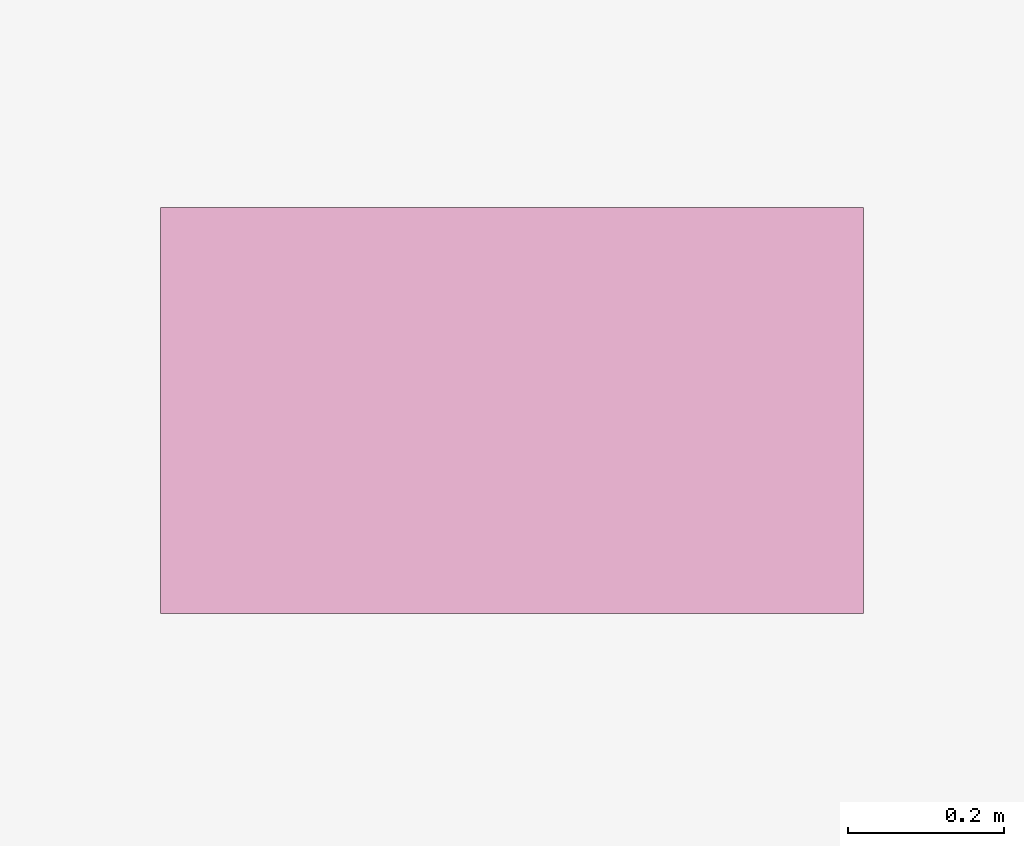
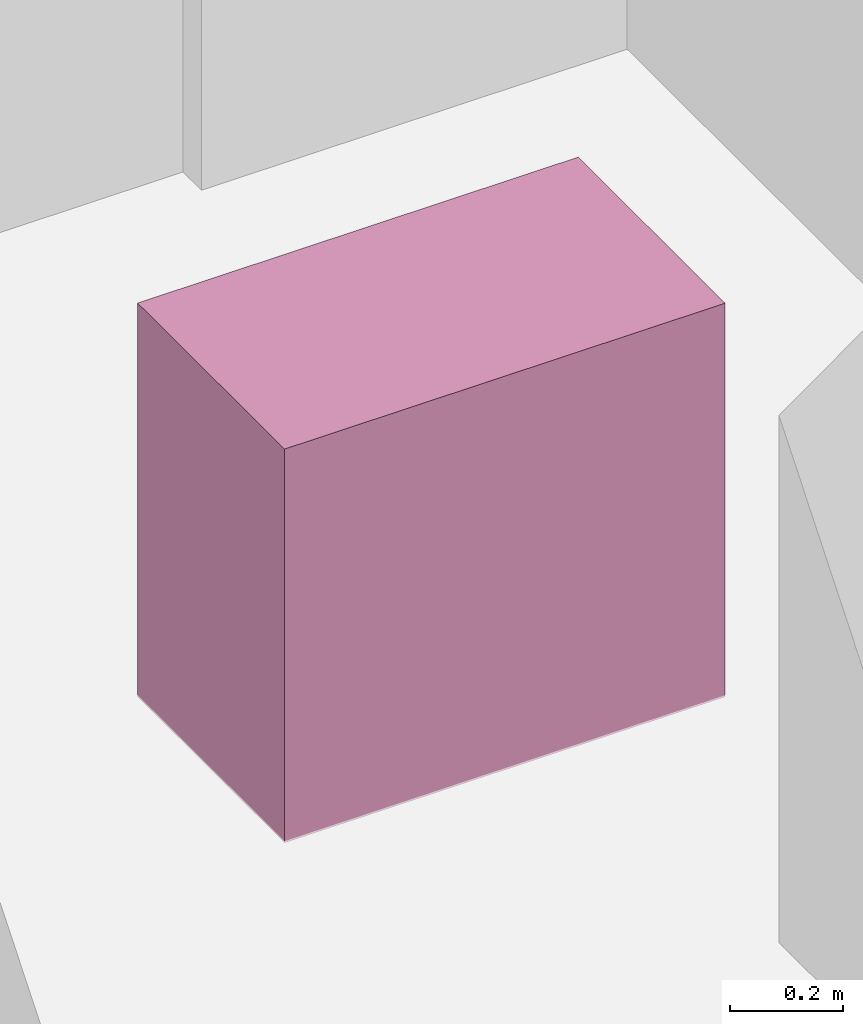
# One storey, part 33 of 33: 1 furnishing.
"""IFC4 building model written with IfcOpenShell, lengths in metres."""

from ifc_helpers import new_model, si_unit, direction, frame, origin, origin_2d, place, context, subcontext, project, spatial, rectangle, extrude, material, type_object, element, save


model = new_model("IFC4")

# Units and contexts
model_context = context("Model", 3, precision=1e-05, world=origin(), true_north=direction((0.0, 1.0)))
body_context = subcontext(model_context, "Body", "Model", "MODEL_VIEW")
ifc_project = project(units=[si_unit("LENGTHUNIT", "METRE"), si_unit("AREAUNIT", "SQUARE_METRE"), si_unit("VOLUMEUNIT", "CUBIC_METRE"), si_unit("PLANEANGLEUNIT", "RADIAN"), si_unit("MASSUNIT", "GRAM", prefix="KILO")], contexts=[model_context])

# Site, building, storey
site_placement = place(None, origin())
site = spatial("IfcSite", under=ifc_project, at=site_placement, CompositionType="ELEMENT")
building_placement = place(site_placement, origin())
building = spatial("IfcBuilding", under=site, at=building_placement, Name="Vorneva Point Tower", CompositionType="ELEMENT")
storey_placement = place(building_placement, frame((0.0, 0.0, 59.0)))
storey = spatial("IfcBuildingStorey", under=building, at=storey_placement, Name="L15", CompositionType="ELEMENT", Elevation=59.0)

# Furnishing
ifc_material = material(Name="Vitreous china and granite top", Category="masonry")
furniture_type = type_object("IfcFurnitureType", Name="FUR-VAN-900", AssemblyPlace="NOTDEFINED", PredefinedType="NOTDEFINED", material=ifc_material)
furnishing_placement = place(storey_placement, frame((34.85009765625, 32.1201171875, -0.005126953125), z_axis=(0.0, 0.0, 1.0), x_axis=(1.0, 0.0, 0.0)))
element("IfcFurnishingElement", 1, at=furnishing_placement, inside=storey, type_object=furniture_type, Name="L15 Public Male WC Vanity Unit", ObjectType="L15 Public Male WC Vanity Unit", context=body_context, shape_type="SweptSolid", body=[
    extrude(rectangle(XDim=0.89990234375, YDim=0.52001953125, at=origin_2d()), origin(), (0.0, 0.0, 1.0), 0.85009765625),
])

save(model, "model.ifc")
